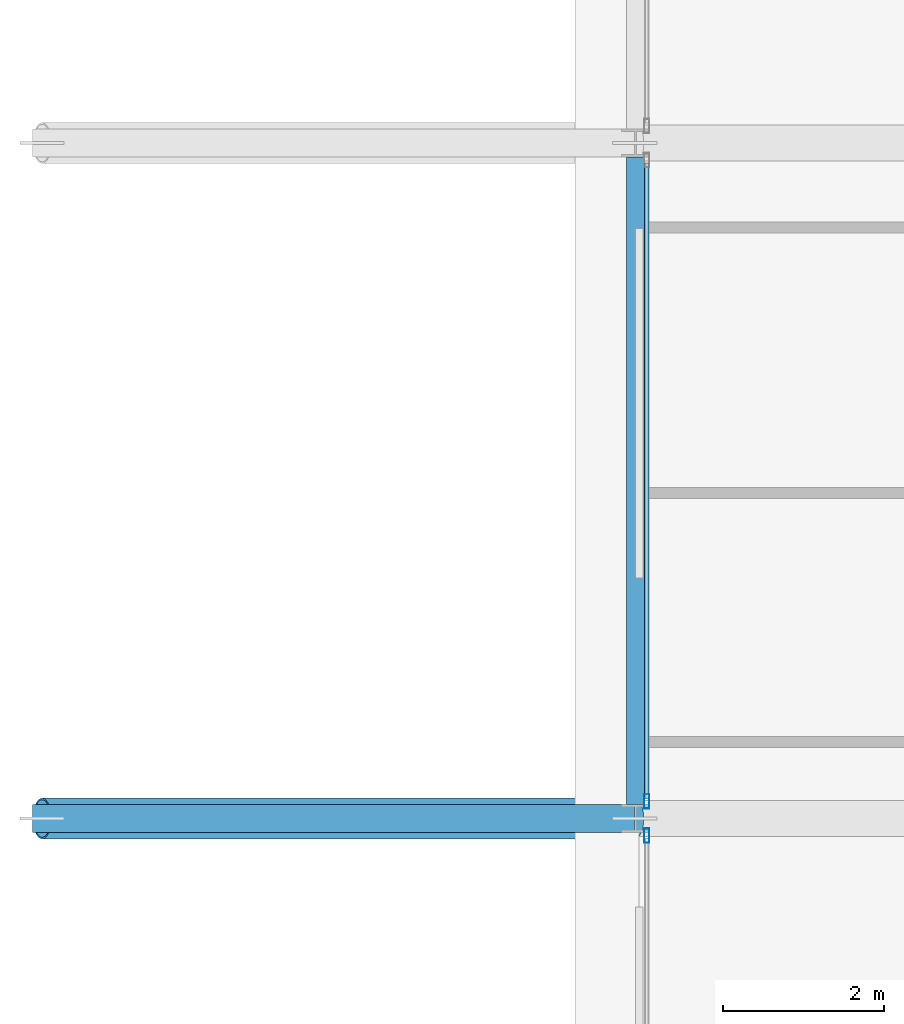
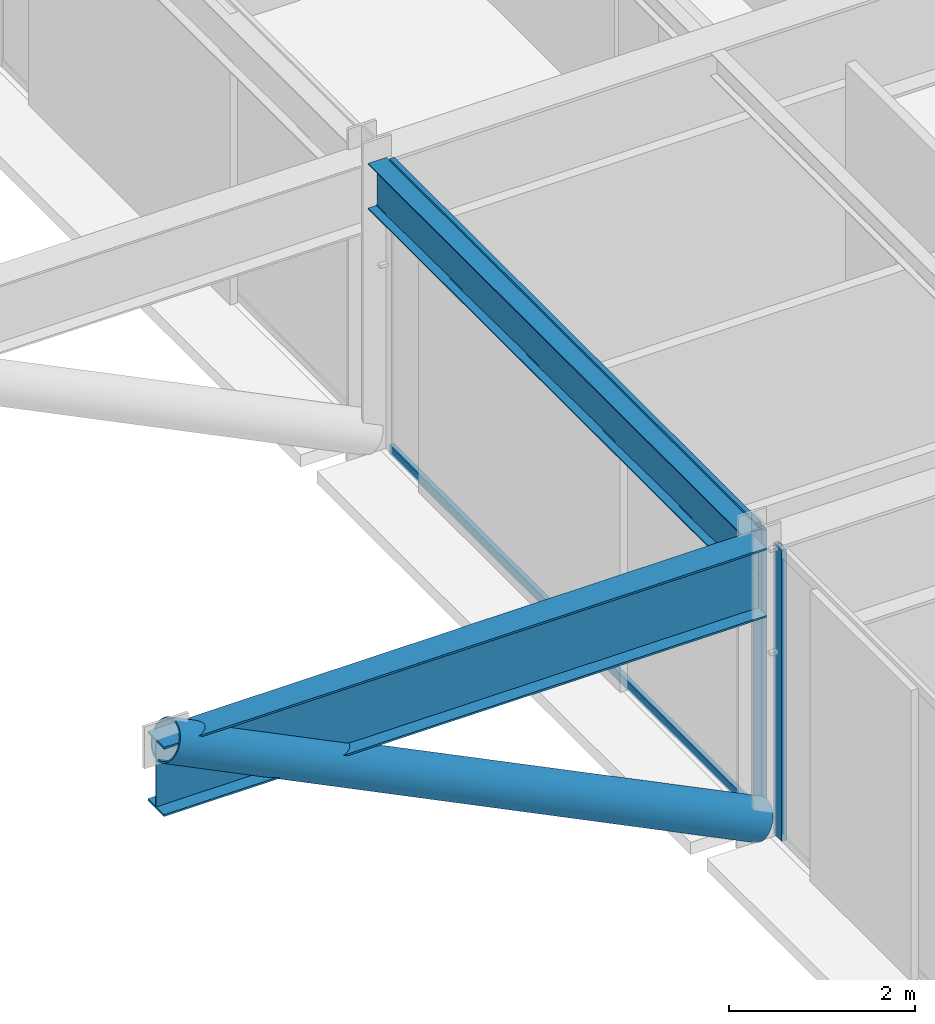
# One storey, part 4 of 30: 5 members, 2 beams, 2 elements without a shape of their own.
"""IFC4 building model written with IfcOpenShell, lengths in metres."""

from ifc_helpers import new_model, si_unit, direction, frame, origin, origin_2d, place, context, subcontext, project, spatial, hollow_rectangle, hollow_circle, i_section, extrude, material, layer, layer_set, material_profile, profile_set, type_object, element, aggregate, save


model = new_model("IFC4")

# Units and contexts
model_context = context("Model", 3, precision=1e-05, world=origin(), true_north=direction((0.0, 1.0)))
body_context = subcontext(model_context, "Body", "Model", "MODEL_VIEW")
ifc_project = project(units=[si_unit("LENGTHUNIT", "METRE"), si_unit("AREAUNIT", "SQUARE_METRE"), si_unit("VOLUMEUNIT", "CUBIC_METRE"), si_unit("PLANEANGLEUNIT", "RADIAN"), si_unit("MASSUNIT", "GRAM", prefix="KILO")], contexts=[model_context])

# Site, building, storey
site_placement = place(None, origin())
site = spatial("IfcSite", under=ifc_project, at=site_placement, CompositionType="ELEMENT")
building_placement = place(site_placement, origin())
building = spatial("IfcBuilding", under=site, at=building_placement, Name="Nerrivon Quay Data Exchange", CompositionType="ELEMENT")
storey_placement = place(building_placement, frame((0.0, 0.0, 167.300048828125)))
storey = spatial("IfcBuildingStorey", under=building, at=storey_placement, Name="L39", CompositionType="ELEMENT", Elevation=167.300048828125)

# Beams
ifc_material_1 = material(Name="Steel Grade 350", Category="steel")
ifc_material_profile_1 = material_profile(ifc_material_1, i_section(OverallWidth=0.35009765625, OverallDepth=0.909912109375, WebThickness=0.011962890625, FlangeThickness=0.02490234375, at=origin_2d()), Name="900WB218")
ifc_profile_set_1 = profile_set([ifc_material_profile_1], Name="Steel Grade 350")
beam_type_1 = type_object("IfcBeamType", Name="BM-CANT-900WB", PredefinedType="USERDEFINED", material=ifc_profile_set_1)
beam_1_placement = place(storey_placement, frame((-0.010009765625, 8.39990234375, 3.369873046875), z_axis=(-1.0, 0.0, 0.0), x_axis=(0.0, -1.0, 0.0)))
element("IfcBeam", 1, at=beam_1_placement, inside=storey, type_object=beam_type_1, Name="L39 West Hooked Base Cantilever Girder Y=8.4", ObjectType="TRANSFER", PredefinedType="USERDEFINED", context=body_context, shape_type="SweptSolid", body=[
    extrude(i_section(OverallWidth=0.35009765625, OverallDepth=0.909912109375, WebThickness=0.011962890625, FlangeThickness=0.02490234375, at=origin_2d()), origin(), (0.0, 0.0, 1.0), 7.489990234375),
])
ifc_material_profile_2 = material_profile(ifc_material_1, i_section(OverallWidth=0.22802734375, OverallDepth=0.60205078125, WebThickness=0.010498046875, FlangeThickness=0.014892578125, FilletRadius=0.013916015625, at=origin_2d()), Name="610UB101")
ifc_profile_set_2 = profile_set([ifc_material_profile_2], Name="Steel Grade 350")
beam_type_2 = type_object("IfcBeamType", Name="BM-G2-610UB101", PredefinedType="BEAM", material=ifc_profile_set_2)
beam_2_placement = place(storey_placement, frame((0.0, 8.574951171875, 3.52392578125), z_axis=(0.0, 1.0, 0.0), x_axis=(-1.0, 0.0, 0.0)))
element("IfcBeam", 2, at=beam_2_placement, inside=storey, type_object=beam_type_2, Name="L39 NS Girder X=0.0 (8.4..16.8)", PredefinedType="BEAM", context=body_context, shape_type="SweptSolid", body=[
    extrude(i_section(OverallWidth=0.22802734375, OverallDepth=0.60205078125, WebThickness=0.010498046875, FlangeThickness=0.014892578125, FilletRadius=0.013916015625, at=origin_2d()), origin(), (0.0, 0.0, 1.0), 8.050048828125),
])

# Curtain wall, member
ifc_material_2 = material(Name="Anodised aluminium 6063-T6", Category="aluminium")
ifc_layer = layer(ifc_material_2, 0.195068359375)
ifc_layer_set = layer_set([ifc_layer], Name="Anodised aluminium 6063-T6")
curtain_wall_type = type_object("IfcCurtainWallType", Name="CW-SYS-06", PredefinedType="NOTDEFINED", material=ifc_layer_set)
curtain_wall_1_placement = place(storey_placement, origin())
curtain_wall_1 = element("IfcCurtainWall", 3, at=curtain_wall_1_placement, inside=storey, type_object=curtain_wall_type, Name="L39 Unitised Curtain Wall 11", PredefinedType="NOTDEFINED")
ifc_material_profile_3 = material_profile(ifc_material_2, hollow_rectangle(XDim=0.06494140625, YDim=0.179931640625, WallThickness=0.00341796875, at=origin_2d()), Name="ALU-MULL-180x65")
ifc_profile_set_3 = profile_set([ifc_material_profile_3], Name="Anodised aluminium 6063-T6")
member_type_1 = type_object("IfcMemberType", Name="CWM-180x65", PredefinedType="MULLION", material=ifc_profile_set_3)
member_1_placement = place(storey_placement, frame((0.139892578125, 8.1875, 0.0), z_axis=(0.0, 0.0, 1.0), x_axis=(-1.0, 0.0, 0.0)))
member_1 = element("IfcMember", 4, at=member_1_placement, type_object=member_type_1, Name="CW06 mullion 2", PredefinedType="MULLION", context=body_context, shape_type="SweptSolid", body=[
    extrude(hollow_rectangle(XDim=0.06494140625, YDim=0.179931640625, WallThickness=0.00341796875, at=origin_2d()), origin(), (0.0, 0.0, 1.0), 3.824951171875),
])
aggregate(curtain_wall_1, [member_1])

# Curtain wall, members
curtain_wall_2_placement = place(storey_placement, origin())
curtain_wall_2 = element("IfcCurtainWall", 5, at=curtain_wall_2_placement, inside=storey, type_object=curtain_wall_type, Name="L39 Unitised Curtain Wall 12", PredefinedType="NOTDEFINED")
member_2_placement = place(storey_placement, frame((0.139892578125, 8.612548828125, 0.0), z_axis=(0.0, 0.0, 1.0), x_axis=(-1.0, 0.0, 0.0)))
member_2 = element("IfcMember", 6, at=member_2_placement, type_object=member_type_1, Name="CW06 mullion 1", PredefinedType="MULLION", context=body_context, shape_type="SweptSolid", body=[
    extrude(hollow_rectangle(XDim=0.06494140625, YDim=0.179931640625, WallThickness=0.00341796875, at=origin_2d()), origin(), (0.0, 0.0, 1.0), 3.824951171875),
])
ifc_material_profile_4 = material_profile(ifc_material_2, hollow_rectangle(XDim=0.06005859375, YDim=0.1201171875, WallThickness=0.003173828125, at=origin_2d()), Name="ALU-TRAN-120x60")
ifc_profile_set_4 = profile_set([ifc_material_profile_4], Name="Anodised aluminium 6063-T6")
member_type_2 = type_object("IfcMemberType", Name="CWT-120x60", PredefinedType="USERDEFINED", material=ifc_profile_set_4)
member_3_placement = place(storey_placement, frame((0.139892578125, 8.64990234375, 0.032470703125), z_axis=(0.0, 1.0, 0.0), x_axis=(-1.0, 0.0, 0.0)))
member_3 = element("IfcMember", 7, at=member_3_placement, type_object=member_type_2, Name="CW06 transom 1.1", ObjectType="TRANSOM", PredefinedType="USERDEFINED", context=body_context, shape_type="SweptSolid", body=[
    extrude(hollow_rectangle(XDim=0.06005859375, YDim=0.1201171875, WallThickness=0.003173828125, at=origin_2d()), origin(), (0.0, 0.0, 1.0), 7.900146484375),
])
member_4_placement = place(storey_placement, frame((0.139892578125, 8.64990234375, 3.79248046875), z_axis=(0.0, 1.0, 0.0), x_axis=(-1.0, 0.0, 0.0)))
member_4 = element("IfcMember", 8, at=member_4_placement, type_object=member_type_2, Name="CW06 transom 1.2", ObjectType="TRANSOM", PredefinedType="USERDEFINED", context=body_context, shape_type="SweptSolid", body=[
    extrude(hollow_rectangle(XDim=0.06005859375, YDim=0.1201171875, WallThickness=0.003173828125, at=origin_2d()), origin(), (0.0, 0.0, 1.0), 7.900146484375),
])
aggregate(curtain_wall_2, [member_2, member_3, member_4])

# Member
ifc_material_3 = material(Name="Steel Grade C350L0 (350 MPa)", Category="steel")
ifc_material_profile_5 = material_profile(ifc_material_3, hollow_circle(Radius=0.25390625, WallThickness=0.02001953125, at=origin_2d()), Name="508.0x20.0CHS")
ifc_profile_set_5 = profile_set([ifc_material_profile_5], Name="Steel Grade C350L0 (350 MPa)")
member_type_3 = type_object("IfcMemberType", Name="MEM-OB2-508CHS", PredefinedType="BRACE", material=ifc_profile_set_5)
member_5_placement = place(storey_placement, frame((-0.010009765625, 8.39990234375, 0.14990234375), z_axis=(-0.897327193084, 0.0, 0.441365957628), x_axis=(0.0, -1.0, 0.0)))
element("IfcMember", 9, at=member_5_placement, inside=storey, type_object=member_type_3, Name="L39 structural brace BR-L39-WHOOK-084", PredefinedType="BRACE", context=body_context, shape_type="SweptSolid", body=[
    extrude(hollow_circle(Radius=0.25390625, WallThickness=0.02001953125, at=origin_2d()), origin(), (0.0, 0.0, 1.0), 8.213134765625),
])

save(model, "model.ifc")
